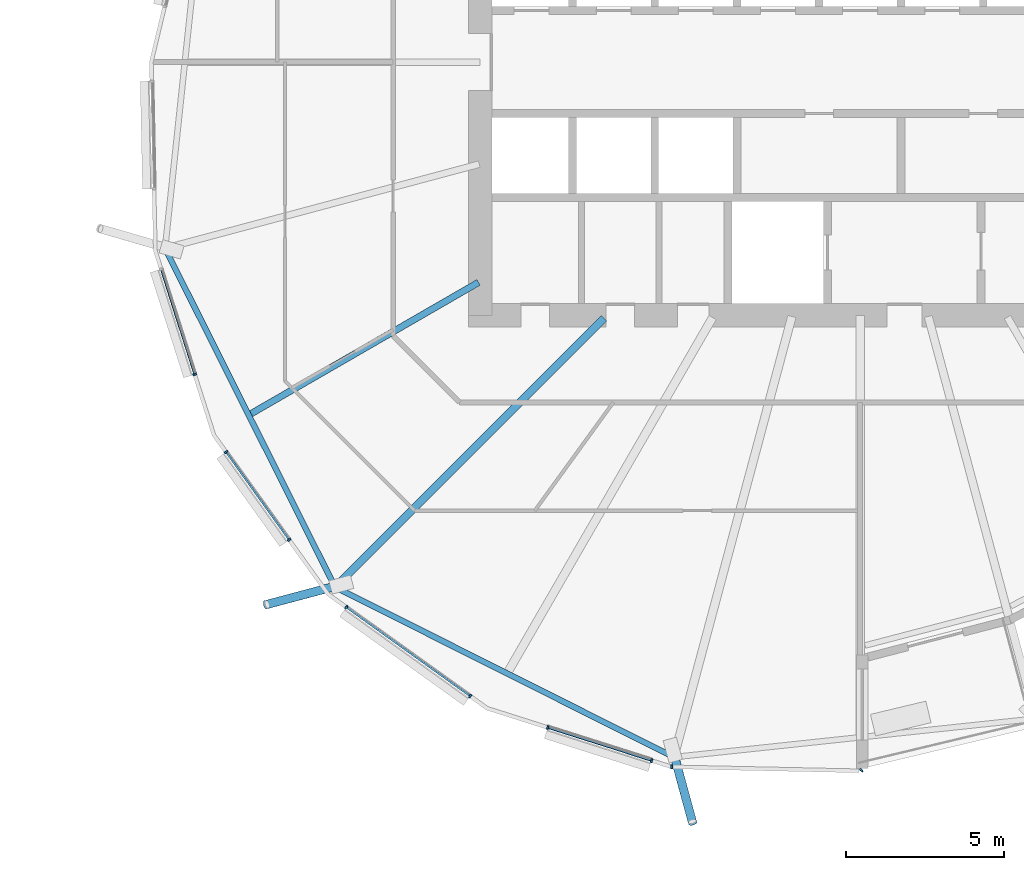
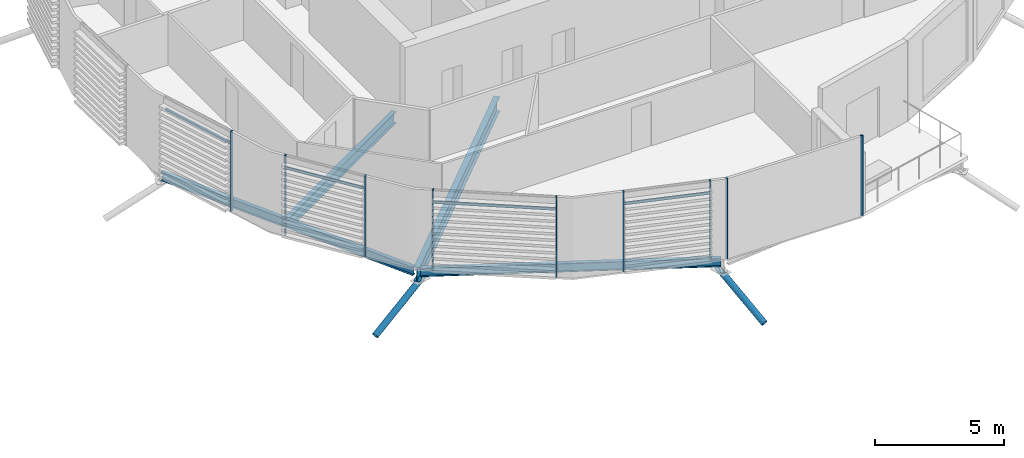
# One storey, part 12 of 43: 15 members, 4 beams, 1 element without a shape of its own.
"""IFC4 building model written with IfcOpenShell, lengths in metres."""

from ifc_helpers import new_model, si_unit, direction, frame, origin, origin_2d, place, context, subcontext, project, spatial, rectangle, hollow_circle, i_section, extrude, clip, halfspace, material, material_profile, profile_set, type_object, element, aggregate, save


model = new_model("IFC4")

# Units and contexts
model_context = context("Model", 3, precision=1e-05, world=origin(), true_north=direction((0.0, 1.0)))
body_context = subcontext(model_context, "Body", "Model", "MODEL_VIEW")
ifc_project = project(units=[si_unit("LENGTHUNIT", "METRE"), si_unit("AREAUNIT", "SQUARE_METRE"), si_unit("VOLUMEUNIT", "CUBIC_METRE"), si_unit("PLANEANGLEUNIT", "RADIAN"), si_unit("MASSUNIT", "GRAM", prefix="KILO")], contexts=[model_context])

# Site, building, storey
site_placement = place(None, origin())
site = spatial("IfcSite", under=ifc_project, at=site_placement, CompositionType="ELEMENT")
building_placement = place(site_placement, origin())
building = spatial("IfcBuilding", under=site, at=building_placement, Name="Rimbun Link Towers", CompositionType="ELEMENT")
storey_placement = place(building_placement, frame((0.0, 0.0, 81.60009765625)))
storey = spatial("IfcBuildingStorey", under=building, at=storey_placement, Name="L19", CompositionType="ELEMENT", Elevation=81.60009765625)

# Curtain wall, members
ifc_material_1 = material(Name="Aluminium 6063-T6 and low-iron glass", Category="aluminium")
curtain_wall_type = type_object("IfcCurtainWallType", Name="CW1-Z2 unitised vision wall (zone 2)", PredefinedType="NOTDEFINED", material=ifc_material_1)
curtain_wall_placement = place(storey_placement, origin())
curtain_wall = element("IfcCurtainWall", 1, at=curtain_wall_placement, inside=storey, type_object=curtain_wall_type, Name="CW1 L19 T2", PredefinedType="NOTDEFINED")
ifc_material_2 = material(Name="Aluminium 6063-T6", Category="aluminium")
ifc_material_profile_1 = material_profile(ifc_material_2, rectangle(XDim=0.1201171875, YDim=0.06005859375, at=origin_2d()), Name="MULLION 60X120")
ifc_profile_set_1 = profile_set([ifc_material_profile_1], Name="Aluminium 6063-T6")
member_type_1 = type_object("IfcMemberType", Name="CW1 mullion 60X120", PredefinedType="MULLION", material=ifc_profile_set_1)
member_1_placement = place(storey_placement, frame((10.7294921875, -9.865478515625, 0.0), z_axis=(0.0, 0.0, 1.0), x_axis=(-0.952968251743, -0.303070142328, 0.0)))
member_1 = element("IfcMember", 2, at=member_1_placement, type_object=member_type_1, Name="CW1 mullion", PredefinedType="MULLION", context=body_context, shape_type="SweptSolid", body=[
    extrude(rectangle(XDim=0.1201171875, YDim=0.06005859375, at=origin_2d()), origin(), (0.0, 0.0, 1.0), 3.7998046875),
])
member_2_placement = place(storey_placement, frame((13.71435546875, -15.09130859375, 0.0), z_axis=(0.0, 0.0, 1.0), x_axis=(-0.812469108412, -0.583004243446, 0.0)))
member_2 = element("IfcMember", 3, at=member_2_placement, type_object=member_type_1, Name="CW1 mullion", PredefinedType="MULLION", context=body_context, shape_type="SweptSolid", body=[
    extrude(rectangle(XDim=0.1201171875, YDim=0.06005859375, at=origin_2d()), origin(), (0.0, 0.0, 1.0), 3.7998046875),
])
member_3_placement = place(storey_placement, frame((11.722900390625, -12.31640625, 0.0), z_axis=(0.0, 0.0, 1.0), x_axis=(-0.812469108412, -0.583004243446, 0.0)))
member_3 = element("IfcMember", 4, at=member_3_placement, type_object=member_type_1, Name="CW1 mullion", PredefinedType="MULLION", context=body_context, shape_type="SweptSolid", body=[
    extrude(rectangle(XDim=0.1201171875, YDim=0.06005859375, at=origin_2d()), origin(), (0.0, 0.0, 1.0), 3.7998046875),
])
member_4_placement = place(storey_placement, frame((19.43359375, -20.027099609375, 0.0), z_axis=(0.0, 0.0, 1.0), x_axis=(-0.583004243446, -0.812469108412, 0.0)))
member_4 = element("IfcMember", 5, at=member_4_placement, type_object=member_type_1, Name="CW1 mullion", PredefinedType="MULLION", context=body_context, shape_type="SweptSolid", body=[
    extrude(rectangle(XDim=0.1201171875, YDim=0.06005859375, at=origin_2d()), origin(), (0.0, 0.0, 1.0), 3.7998046875),
])
member_5_placement = place(storey_placement, frame((15.521240234375, -17.219482421875, 0.0), z_axis=(0.0, 0.0, 1.0), x_axis=(-0.583004243446, -0.812469108412, 0.0)))
member_5 = element("IfcMember", 6, at=member_5_placement, type_object=member_type_1, Name="CW1 mullion", PredefinedType="MULLION", context=body_context, shape_type="SweptSolid", body=[
    extrude(rectangle(XDim=0.1201171875, YDim=0.06005859375, at=origin_2d()), origin(), (0.0, 0.0, 1.0), 3.7998046875),
])
member_6_placement = place(storey_placement, frame((25.1630859375, -22.063232421875, 0.0), z_axis=(0.0, 0.0, 1.0), x_axis=(-0.303070142328, -0.952968251743, 0.0)))
member_6 = element("IfcMember", 7, at=member_6_placement, type_object=member_type_1, Name="CW1 mullion", PredefinedType="MULLION", context=body_context, shape_type="SweptSolid", body=[
    extrude(rectangle(XDim=0.1201171875, YDim=0.06005859375, at=origin_2d()), origin(), (0.0, 0.0, 1.0), 3.7998046875),
])
member_7_placement = place(storey_placement, frame((21.884521484375, -21.0205078125, 0.0), z_axis=(0.0, 0.0, 1.0), x_axis=(-0.303070142328, -0.952968251743, 0.0)))
member_7 = element("IfcMember", 8, at=member_7_placement, type_object=member_type_1, Name="CW1 mullion", PredefinedType="MULLION", context=body_context, shape_type="SweptSolid", body=[
    extrude(rectangle(XDim=0.1201171875, YDim=0.06005859375, at=origin_2d()), origin(), (0.0, 0.0, 1.0), 3.7998046875),
])
member_8_placement = place(storey_placement, frame((31.7919921875, -22.37109375, 0.0), z_axis=(0.0, 0.0, 1.0), x_axis=(0.699622529752, -0.7145126422, 0.0)))
member_8 = element("IfcMember", 9, at=member_8_placement, type_object=member_type_1, Name="CW1 mullion", PredefinedType="MULLION", context=body_context, shape_type="SweptSolid", body=[
    extrude(rectangle(XDim=0.1201171875, YDim=0.06005859375, at=origin_2d()), origin(), (0.0, 0.0, 1.0), 3.7998046875),
])
member_9_placement = place(storey_placement, frame((25.79931640625, -22.262939453125, 0.0), z_axis=(0.0, 0.0, 1.0), x_axis=(-0.02105663171, -0.999778284552, 0.0)))
member_9 = element("IfcMember", 10, at=member_9_placement, type_object=member_type_1, Name="CW1 mullion", PredefinedType="MULLION", context=body_context, shape_type="SweptSolid", body=[
    extrude(rectangle(XDim=0.1201171875, YDim=0.06005859375, at=origin_2d()), origin(), (0.0, 0.0, 1.0), 3.7998046875),
])
ifc_material_3 = material(Name="Aluminium 6063-T6", Category="aluminium")
ifc_material_profile_2 = material_profile(ifc_material_3, rectangle(XDim=0.06005859375, YDim=0.1201171875, at=origin_2d()), Name="TRANSOM 60X120")
ifc_profile_set_2 = profile_set([ifc_material_profile_2], Name="Aluminium 6063-T6")
member_type_2 = type_object("IfcMemberType", Name="CW1 transom 60X120", PredefinedType="USERDEFINED", material=ifc_profile_set_2)
member_10_placement = place(storey_placement, frame((10.722412109375, -9.836181640625, 3.199951171875), z_axis=(-0.303109653697, 0.952955685137, 0.0), x_axis=(-0.952955685137, -0.303109653697, 0.0)))
member_10 = element("IfcMember", 11, at=member_10_placement, type_object=member_type_2, Name="CW1 transom", ObjectType="TRANSOM", PredefinedType="USERDEFINED", context=body_context, shape_type="SweptSolid", body=[
    extrude(rectangle(XDim=0.06005859375, YDim=0.1201171875, at=origin_2d()), origin(), (0.0, 0.0, 1.0), 3.430419921875),
])
member_11_placement = place(storey_placement, frame((13.698486328125, -15.06591796875, 3.199951171875), z_axis=(-0.582998721092, 0.812473071064, 0.0), x_axis=(-0.812473071064, -0.582998721092, 0.0)))
member_11 = element("IfcMember", 12, at=member_11_placement, type_object=member_type_2, Name="CW1 transom", ObjectType="TRANSOM", PredefinedType="USERDEFINED", context=body_context, shape_type="SweptSolid", body=[
    extrude(rectangle(XDim=0.06005859375, YDim=0.1201171875, at=origin_2d()), origin(), (0.0, 0.0, 1.0), 3.35546875),
])
member_12_placement = place(storey_placement, frame((19.410400390625, -20.0078125, 3.199951171875), z_axis=(-0.812475871457, 0.582994818417, 0.0), x_axis=(-0.582994818417, -0.812475871457, 0.0)))
member_12 = element("IfcMember", 13, at=member_12_placement, type_object=member_type_2, Name="CW1 transom", ObjectType="TRANSOM", PredefinedType="USERDEFINED", context=body_context, shape_type="SweptSolid", body=[
    extrude(rectangle(XDim=0.06005859375, YDim=0.1201171875, at=origin_2d()), origin(), (0.0, 0.0, 1.0), 4.755615234375),
])
member_13_placement = place(storey_placement, frame((25.135009765625, -22.05224609375, 3.199951171875), z_axis=(-0.952948542715, 0.303132108062, 0.0), x_axis=(-0.303132108062, -0.952948542715, 0.0)))
member_13 = element("IfcMember", 14, at=member_13_placement, type_object=member_type_2, Name="CW1 transom", ObjectType="TRANSOM", PredefinedType="USERDEFINED", context=body_context, shape_type="SweptSolid", body=[
    extrude(rectangle(XDim=0.06005859375, YDim=0.1201171875, at=origin_2d()), origin(), (0.0, 0.0, 1.0), 3.380126953125),
])
aggregate(curtain_wall, [member_1, member_2, member_3, member_4, member_5, member_6, member_7, member_8, member_9, member_10, member_11, member_12, member_13])

# Members
ifc_material_4 = material(Name="Steel S355J2H", Category="steel")
ifc_material_profile_3 = material_profile(ifc_material_4, hollow_circle(Radius=0.136474609375, WallThickness=0.012451171875, at=origin_2d()), Name="CHS 273x12.5")
ifc_profile_set_3 = profile_set([ifc_material_profile_3], Name="Steel S355J2H")
member_type_3 = type_object("IfcMemberType", Name="Floor edge link CHS 273x12.5", PredefinedType="BRACE", material=ifc_profile_set_3)
member_14_placement = place(storey_placement, frame((15.201904296875, -16.548095703125, -0.96142578125), z_axis=(-0.835593717167, -0.222831092027, -0.502124928934), x_axis=(0.257669236798, -0.966233183247, 0.0)))
element("IfcMember", 15, at=member_14_placement, inside=storey, type_object=member_type_3, Name="Floor edge link T2 L19 12", PredefinedType="BRACE", context=body_context, shape_type="Clipping", body=[
    clip(extrude(hollow_circle(Radius=0.136474609375, WallThickness=0.012451171875, at=origin_2d()), frame((0.0, 0.0, -0.489990234375)), (0.0, 0.0, 1.0), 3.157958984375), halfspace(frame((0.0, 0.0, -0.230712890625), z_axis=(0.0, 0.864795094657, -0.502124928934)), False)),
])
member_15_placement = place(storey_placement, frame((25.88037109375, -21.906005859375, -1.041748046875), z_axis=(0.230893001105, -0.846607670719, -0.479524633278), x_axis=(0.964763821238, 0.263117405792, 0.0)))
element("IfcMember", 16, at=member_15_placement, inside=storey, type_object=member_type_3, Name="Floor edge link T2 L19 14", PredefinedType="BRACE", context=body_context, shape_type="Clipping", body=[
    clip(extrude(hollow_circle(Radius=0.136474609375, WallThickness=0.012451171875, at=origin_2d()), frame((0.0, 0.0, -0.5205078125)), (0.0, 0.0, 1.0), 3.0390625), halfspace(frame((0.0, 0.0, -0.244873046875), z_axis=(0.0, 0.877528418959, -0.479524633278)), False)),
])

# Beams
ifc_material_5 = material(Name="Steel S355J2", Category="steel")
ifc_material_profile_4 = material_profile(ifc_material_5, i_section(OverallWidth=0.177978515625, OverallDepth=0.406494140625, WebThickness=0.0078125, FlangeThickness=0.0126953125, at=origin_2d()), Name="UB 406x178x60")
ifc_profile_set_4 = profile_set([ifc_material_profile_4], Name="Steel S355J2")
beam_type_1 = type_object("IfcBeamType", Name="UB 406x178x60", PredefinedType="BEAM", material=ifc_profile_set_4)
beam_1_placement = place(storey_placement, frame((9.843994140625, -5.97900390625, -0.36328125), z_axis=(0.448586674905, -0.893739332858, 0.0), x_axis=(0.893739332858, 0.448586674905, 0.0)))
element("IfcBeam", 17, at=beam_1_placement, inside=storey, type_object=beam_type_1, Name="Edge beam T2 L19 10-12", PredefinedType="BEAM", context=body_context, shape_type="SweptSolid", body=[
    extrude(i_section(OverallWidth=0.177978515625, OverallDepth=0.406494140625, WebThickness=0.0078125, FlangeThickness=0.0126953125, at=origin_2d()), origin(), (0.0, 0.0, 1.0), 11.730712890625),
])
beam_2_placement = place(storey_placement, frame((15.286865234375, -16.643798828125, -0.36328125), z_axis=(0.893741795777, -0.448581767887, 0.0), x_axis=(0.448581767887, 0.893741795777, 0.0)))
element("IfcBeam", 18, at=beam_2_placement, inside=storey, type_object=beam_type_1, Name="Edge beam T2 L19 12-14", PredefinedType="BEAM", context=body_context, shape_type="SweptSolid", body=[
    extrude(i_section(OverallWidth=0.177978515625, OverallDepth=0.406494140625, WebThickness=0.0078125, FlangeThickness=0.0126953125, at=origin_2d()), origin(), (0.0, 0.0, 1.0), 11.701416015625),
])
ifc_material_6 = material(Name="Steel S355J2", Category="steel")
ifc_material_profile_5 = material_profile(ifc_material_6, i_section(OverallWidth=0.209228515625, OverallDepth=0.533203125, WebThickness=0.010009765625, FlangeThickness=0.015625, at=origin_2d()), Name="UB 533x210x92")
ifc_profile_set_5 = profile_set([ifc_material_profile_5], Name="Steel S355J2")
beam_type_2 = type_object("IfcBeamType", Name="UB 533x210x92", PredefinedType="BEAM", material=ifc_profile_set_5)
beam_3_placement = place(storey_placement, frame((19.69677734375, -6.958984375, -0.426513671875), z_axis=(-0.866021791448, -0.500006256699, 0.0), x_axis=(0.500006256699, -0.866021791448, 0.0)))
element("IfcBeam", 19, at=beam_3_placement, inside=storey, type_object=beam_type_2, Name="Radial beam T2 L19 11", PredefinedType="BEAM", context=body_context, shape_type="SweptSolid", body=[
    extrude(i_section(OverallWidth=0.209228515625, OverallDepth=0.533203125, WebThickness=0.010009765625, FlangeThickness=0.015625, at=origin_2d()), origin(), (0.0, 0.0, 1.0), 8.29052734375),
])
ifc_material_7 = material(Name="Steel S355J2", Category="steel")
ifc_material_profile_6 = material_profile(ifc_material_7, i_section(OverallWidth=0.253662109375, OverallDepth=0.68359375, WebThickness=0.012451171875, FlangeThickness=0.01904296875, at=origin_2d()), Name="UB 686x254x140")
ifc_profile_set_6 = profile_set([ifc_material_profile_6], Name="Steel S355J2")
beam_type_3 = type_object("IfcBeamType", Name="UB 686x254x140", PredefinedType="BEAM", material=ifc_profile_set_6)
beam_4_placement = place(storey_placement, frame((23.65966796875, -8.09033203125, -0.501953125), z_axis=(-0.707106781187, -0.707106781187, 0.0), x_axis=(0.707106781187, -0.707106781187, 0.0)))
element("IfcBeam", 20, at=beam_4_placement, inside=storey, type_object=beam_type_3, Name="Radial beam T2 L19 12", PredefinedType="BEAM", context=body_context, shape_type="SweptSolid", body=[
    extrude(i_section(OverallWidth=0.253662109375, OverallDepth=0.68359375, WebThickness=0.012451171875, FlangeThickness=0.01904296875, at=origin_2d()), origin(), (0.0, 0.0, 1.0), 12.01123046875),
])

save(model, "model.ifc")
